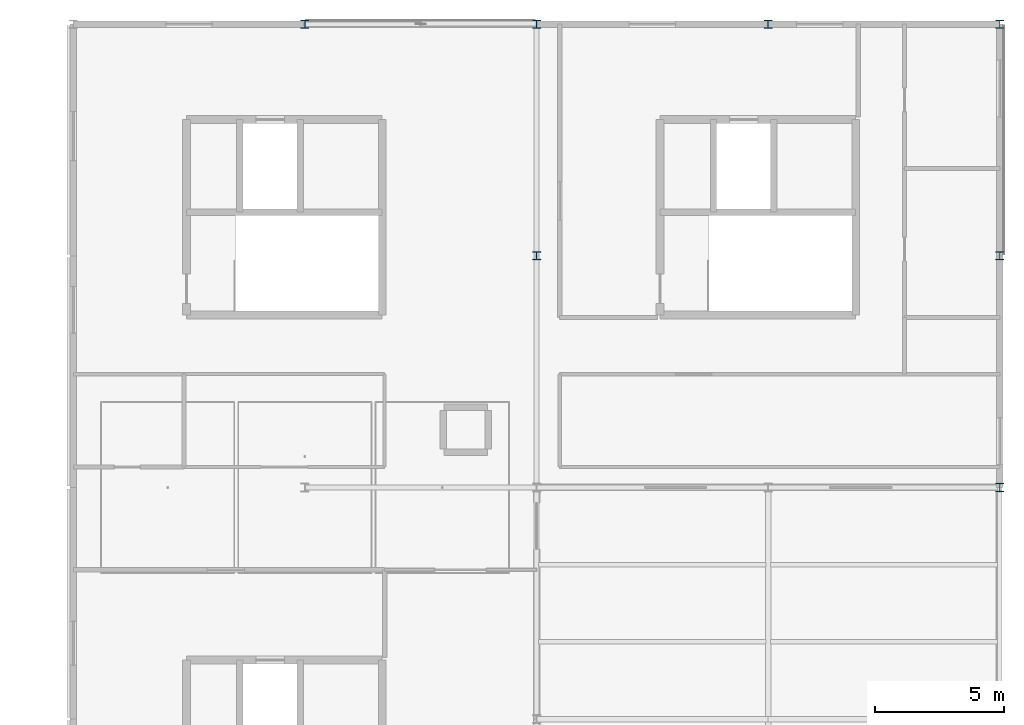
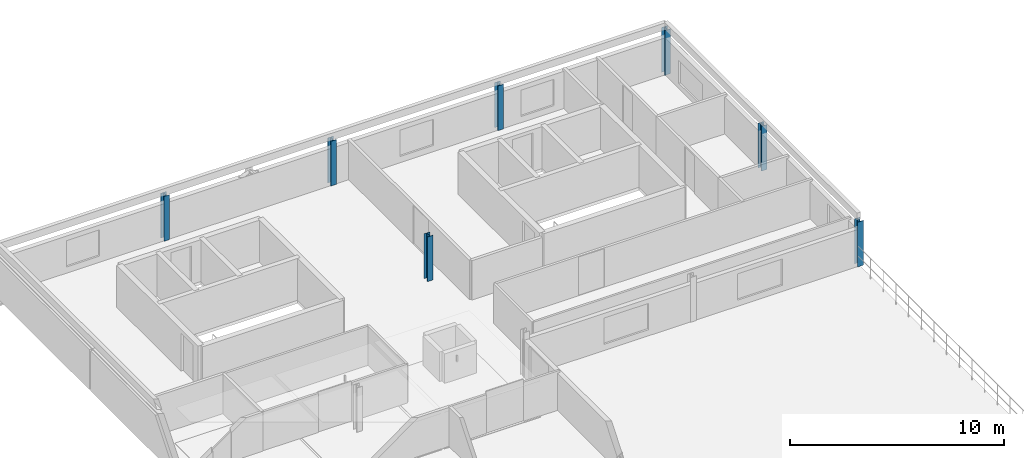
# One storey, part 8 of 16: 7 columns.
"""IFC4 building model written with IfcOpenShell, lengths in metres."""

import ifcopenshell
import ifcopenshell.guid

model = None  # the IFC model being written
_history = None  # IfcOwnerHistory: only IFC2X3 demands one
_inside = {}  # id of a spatial element -> (the spatial element, [elements in it])
_under = {}  # id of a project, library or spatial element -> (it, [spatial elements below it])
_declared = {}  # id of a project -> (the project, [libraries it declares])
_typed = {}  # id of a type object -> (the type object, [elements of that type])
_made_of = {}  # id of a material, layer set ... -> (it, [elements and type objects made of it])


def new_model(schema):
    """Start an empty IFC model of exactly this schema.

    Asked for "IFC4X3", IfcOpenShell would pick the latest addendum, in which some entities
    have other attributes; the version numbers below select the first issue.
    IFC2X3 requires an IfcOwnerHistory on every rooted entity: one is made here for all.
    """
    global model, _history
    if schema == "IFC4X3":
        model = ifcopenshell.file(schema_version=(4, 3, 0, 0))
    else:
        model = ifcopenshell.file(schema=schema)
    _inside.clear()
    _under.clear()
    _declared.clear()
    _typed.clear()
    _made_of.clear()
    _history = None
    if model.schema == "IFC2X3":
        org = make("IfcOrganization", Name="unknown")
        user = make(
            "IfcPersonAndOrganization",
            ThePerson=make("IfcPerson", FamilyName="unknown"),
            TheOrganization=org,
        )
        app = make(
            "IfcApplication",
            ApplicationDeveloper=org,
            Version="unknown",
            ApplicationFullName="unknown",
            ApplicationIdentifier="unknown",
        )
        _history = make(
            "IfcOwnerHistory",
            OwningUser=user,
            OwningApplication=app,
            ChangeAction="ADDED",
            CreationDate=0,
        )
    return model


def make(cls, **values):
    """One entity of the class cls with the attributes given. An attribute that is None is left unset."""
    return model.create_entity(
        cls, **{name: value for name, value in values.items() if value is not None}
    )


def rooted(cls, **values):
    """An entity with a GlobalId (a new one), such as an element, a storey or a relation."""
    return make(cls, GlobalId=ifcopenshell.guid.new(), OwnerHistory=_history, **values)


def si_unit(unit_type, name, prefix=None):
    """IfcSIUnit, for example si_unit("LENGTHUNIT", "METRE", prefix="MILLI")."""
    return make("IfcSIUnit", UnitType=unit_type, Prefix=prefix, Name=name)


def assignment(units):
    """IfcUnitAssignment: the units of a project."""
    return None if units is None else make("IfcUnitAssignment", Units=units)


def point(xyz):
    """IfcCartesianPoint."""
    return None if xyz is None else make("IfcCartesianPoint", Coordinates=xyz)


def direction(xyz):
    """IfcDirection."""
    return None if xyz is None else make("IfcDirection", DirectionRatios=xyz)


def frame(location, z_axis=None, x_axis=None):
    """IfcAxis2Placement3D, a coordinate frame: its origin and axes. An axis left out is left unset."""
    return make(
        "IfcAxis2Placement3D",
        Location=point(location),
        Axis=direction(z_axis),
        RefDirection=direction(x_axis),
    )


def frame_2d(location, x_axis=None):
    """IfcAxis2Placement2D, a coordinate frame in the plane: its origin and x axis."""
    return make(
        "IfcAxis2Placement2D", Location=point(location), RefDirection=direction(x_axis)
    )


def origin():
    """The frame at (0, 0, 0) with its axes left unset."""
    return frame((0.0, 0.0, 0.0))


def origin_2d():
    """The frame at (0, 0) in the plane with its x axis left unset."""
    return frame_2d((0.0, 0.0))


def place(relative_to, where):
    """IfcLocalPlacement: puts the frame where relative to a parent placement (None: the world)."""
    return make(
        "IfcLocalPlacement", PlacementRelTo=relative_to, RelativePlacement=where
    )


def context(
    kind, dimensions, precision=None, world=None, true_north=None, identifier=None
):
    """IfcGeometricRepresentationContext, for example the 3D "Model" context."""
    return make(
        "IfcGeometricRepresentationContext",
        ContextIdentifier=identifier,
        ContextType=kind,
        CoordinateSpaceDimension=dimensions,
        Precision=precision,
        WorldCoordinateSystem=world,
        TrueNorth=true_north,
    )


def subcontext(parent, identifier, kind, view, scale=None):
    """IfcGeometricRepresentationSubContext, for example "Body" below "Model"."""
    return make(
        "IfcGeometricRepresentationSubContext",
        ContextIdentifier=identifier,
        ContextType=kind,
        ParentContext=parent,
        TargetScale=scale,
        TargetView=view,
    )


def project(units=None, contexts=None):
    """IfcProject with its units and contexts."""
    return rooted(
        "IfcProject",
        Name="project",
        RepresentationContexts=contexts,
        UnitsInContext=assignment(units),
    )


def spatial(cls, under=None, at=None, **own):
    """A site, building, storey or space (cls), placed at a placement, below another one or the project."""
    s = rooted(cls, ObjectPlacement=at, **own)
    if under is not None:
        _under.setdefault(under.id(), (under, []))[1].append(s)
    return s


def profile(cls, at=None, kind="AREA", **sizes):
    """A parametric profile (cls). Its sizes go by their IFC names, for example OverallWidth=200.0."""
    return make(cls, ProfileType=kind, Position=at, **sizes)


def i_section(**sizes):
    """IfcIShapeProfileDef."""
    return profile("IfcIShapeProfileDef", **sizes)


def extrude(swept, where, along, depth):
    """IfcExtrudedAreaSolid: the profile swept, set in the frame where, extruded along a direction by depth."""
    return make(
        "IfcExtrudedAreaSolid",
        SweptArea=swept,
        Position=where,
        ExtrudedDirection=direction(along),
        Depth=depth,
    )


def shape(context_of_items, identifier, shape_type, items):
    """IfcShapeRepresentation: the items that make up one representation, for example the "Body"."""
    return make(
        "IfcShapeRepresentation",
        ContextOfItems=context_of_items,
        RepresentationIdentifier=identifier,
        RepresentationType=shape_type,
        Items=items,
    )


def material(Name=None, Category=None):
    """IfcMaterial."""
    return make("IfcMaterial", Name=Name, Category=Category)


def material_profile(
    of_material, cross_section, Name=None, Category=None, Priority=None
):
    """IfcMaterialProfile: a cross section and its material."""
    return make(
        "IfcMaterialProfile",
        Name=Name,
        Material=of_material,
        Profile=cross_section,
        Priority=Priority,
        Category=Category,
    )


def profile_set(profiles, Name=None, composite=None):
    """IfcMaterialProfileSet."""
    return make(
        "IfcMaterialProfileSet",
        Name=Name,
        MaterialProfiles=profiles,
        CompositeProfile=composite,
    )


def made_of(thing, what):
    """Note that an element or type object is made of a material, layer set ...; save() writes the relation."""
    if what is not None:
        _made_of.setdefault(what.id(), (what, []))[1].append(thing)
    return thing


def type_object(cls, material=None, **own):
    """A type object (cls), such as IfcWallType, which elements share."""
    return made_of(rooted(cls, **own), material)


def element(
    cls,
    number,
    at=None,
    inside=None,
    cuts=None,
    type_object=None,
    material=None,
    context=None,
    identifier="Body",
    shape_type=None,
    held_by="IfcProductDefinitionShape",
    body=None,
    shapes=None,
    **own,
):
    """One element of the class cls, such as IfcWall. Its Tag is "e" and its number.

    at: its placement. inside: the storey or other place that contains it. cuts: it is an
    opening in that element (IfcRelVoidsElement). A single representation is given by context,
    identifier, shape_type and body (its items); several are given by shapes. held_by: the class
    of the entity that holds the representations. save() writes the other relations.
    """
    e = rooted(cls, Tag="e%d" % number, ObjectPlacement=at, **own)
    if body is not None:
        shapes = [shape(context, identifier, shape_type, body)]
    if shapes is not None:
        e.Representation = make(held_by, Representations=shapes)
    if inside is not None:
        _inside.setdefault(inside.id(), (inside, []))[1].append(e)
    if cuts is not None:
        rooted(
            "IfcRelVoidsElement", RelatingBuildingElement=cuts, RelatedOpeningElement=e
        )
    if type_object is not None:
        _typed.setdefault(type_object.id(), (type_object, []))[1].append(e)
    return made_of(e, material)


def aggregate(whole, parts):
    """IfcRelAggregates: a whole, such as a stair, and the parts it consists of."""
    return rooted("IfcRelAggregates", RelatingObject=whole, RelatedObjects=parts)


def save(model, path):
    """Write the relations noted so far, then the file.

    IfcRelAggregates (storeys below a building ...), IfcRelContainedInSpatialStructure (elements
    in a storey), IfcRelDefinesByType, IfcRelAssociatesMaterial and IfcRelDeclares: one each for
    every whole, place, type object, material and project.
    """
    for whole, parts in _under.values():
        aggregate(whole, parts)
    for where, things in _inside.values():
        rooted(
            "IfcRelContainedInSpatialStructure",
            RelatedElements=things,
            RelatingStructure=where,
        )
    for kind, things in _typed.values():
        rooted("IfcRelDefinesByType", RelatedObjects=things, RelatingType=kind)
    for what, things in _made_of.values():
        rooted("IfcRelAssociatesMaterial", RelatedObjects=things, RelatingMaterial=what)
    for by, libraries in _declared.values():
        rooted("IfcRelDeclares", RelatingContext=by, RelatedDefinitions=libraries)
    model.write(path)


model = new_model("IFC4")

# Units and contexts
model_context = context("Model", 3, precision=1e-05, world=origin(), true_north=direction((0.0, 1.0)))
body_context = subcontext(model_context, "Body", "Model", "MODEL_VIEW")
ifc_project = project(units=[si_unit("LENGTHUNIT", "METRE"), si_unit("AREAUNIT", "SQUARE_METRE"), si_unit("VOLUMEUNIT", "CUBIC_METRE"), si_unit("PLANEANGLEUNIT", "RADIAN"), si_unit("MASSUNIT", "GRAM", prefix="KILO"), si_unit("THERMODYNAMICTEMPERATUREUNIT", "KELVIN"), si_unit("POWERUNIT", "WATT")], contexts=[model_context])

# Site, building, storey
site_placement = place(None, origin())
site = spatial("IfcSite", under=ifc_project, at=site_placement, CompositionType="ELEMENT")
building_placement = place(site_placement, origin())
building = spatial("IfcBuilding", under=site, at=building_placement, Name="Tallowbark Science Centre", CompositionType="ELEMENT")
storey_placement = place(building_placement, frame((0.0, 0.0, 23.39990234375)))
storey = spatial("IfcBuildingStorey", under=building, at=storey_placement, Name="L05", CompositionType="ELEMENT", Elevation=23.39990234375)

# Columns
ifc_material = material(Name="Structural Steel Grade 300PLUS (300 MPa)", Category="steel")
ifc_material_profile = material_profile(ifc_material, i_section(OverallWidth=0.30908203125, OverallDepth=0.320556640625, WebThickness=0.013916015625, FlangeThickness=0.021728515625, FilletRadius=0.0166015625, at=origin_2d()), Name="310UC137")
ifc_profile_set = profile_set([ifc_material_profile], Name="Structural Steel Grade 300PLUS (300 MPa)")
column_type = type_object("IfcColumnType", Name="COL-UC310B", PredefinedType="COLUMN", material=ifc_profile_set)
for number, where, z_axis, x_axis, name in (
    (1, (121.5, 108.0, 0.0), (0.0, 0.0, 1.0), (1.0, 0.0, 0.0), "Column OBS-1_4 L05"),
    (2, (130.5, 99.0, 0.0), (0.0, 0.0, 1.0), (1.0, 0.0, 0.0), "Column OBS-2_3 L05"),
    (3, (130.5, 108.0, 0.0), (0.0, 0.0, 1.0), (1.0, 0.0, 0.0), "Column OBS-2_4 L05"),
    (4, (139.5, 108.0, 0.0), (0.0, 0.0, 1.0), (1.0, 0.0, 0.0), "Column OBS-3_4 L05"),
    (5, (148.5, 90.0, 0.0), (0.0, 0.0, 1.0), (1.0, 0.0, 0.0), "Column OBS-4_2 L05"),
    (6, (148.5, 99.0, 0.0), (0.0, 0.0, 1.0), (1.0, 0.0, 0.0), "Column OBS-4_3 L05"),
    (7, (148.5, 108.0, 0.0), (0.0, 0.0, 1.0), (1.0, 0.0, 0.0), "Column OBS-4_4 L05"),
):
    element("IfcColumn", number, at=place(storey_placement, frame(where, z_axis=z_axis, x_axis=x_axis)), inside=storey, type_object=column_type, Name=name, PredefinedType="COLUMN", context=body_context, shape_type="SweptSolid", body=[
        extrude(i_section(OverallWidth=0.30908203125, OverallDepth=0.320556640625, WebThickness=0.013916015625, FlangeThickness=0.021728515625, FilletRadius=0.0166015625, at=origin_2d()), origin(), (0.0, 0.0, 1.0), 2.550048828125),
    ])

save(model, "model.ifc")
